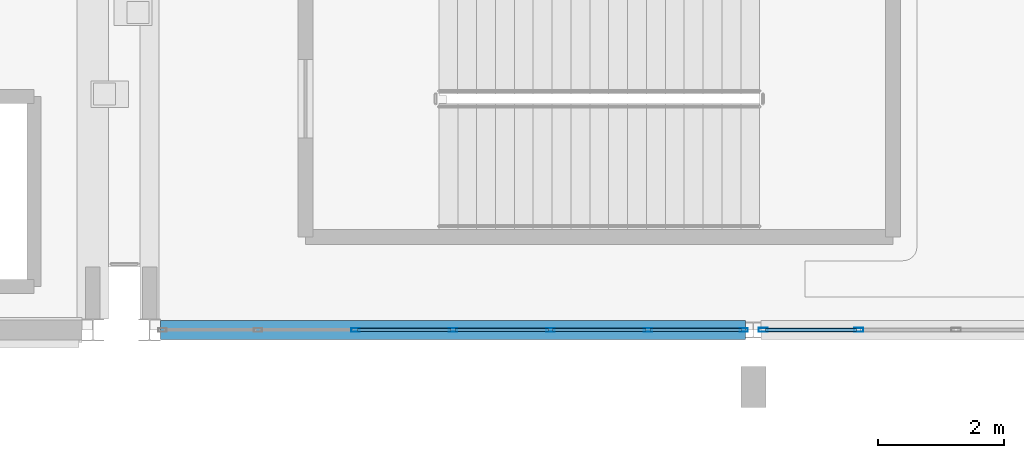
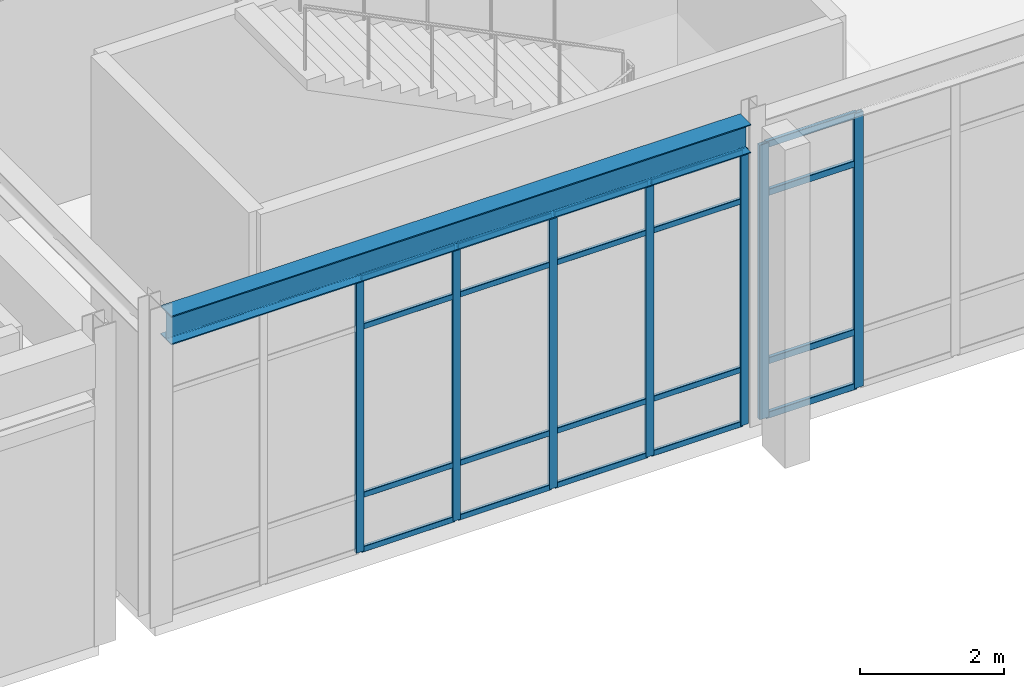
# One storey, part 17 of 80: 27 members, 1 beam, 2 elements without a shape of their own.
"""IFC4 building model written with IfcOpenShell, lengths in metres."""

from ifc_helpers import new_model, si_unit, direction, frame, origin, origin_2d, place, context, subcontext, project, spatial, hollow_rectangle, i_section, extrude, material, material_profile, profile_set, type_object, element, aggregate, save


model = new_model("IFC4")

# Units and contexts
model_context = context("Model", 3, precision=1e-05, world=origin(), true_north=direction((0.0, 1.0)))
body_context = subcontext(model_context, "Body", "Model", "MODEL_VIEW")
ifc_project = project(units=[si_unit("LENGTHUNIT", "METRE"), si_unit("AREAUNIT", "SQUARE_METRE"), si_unit("VOLUMEUNIT", "CUBIC_METRE"), si_unit("PLANEANGLEUNIT", "RADIAN"), si_unit("MASSUNIT", "GRAM", prefix="KILO")], contexts=[model_context])

# Site, building, storey
site_placement = place(None, origin())
site = spatial("IfcSite", under=ifc_project, at=site_placement, CompositionType="ELEMENT")
building_placement = place(site_placement, origin())
building = spatial("IfcBuilding", under=site, at=building_placement, Name="Canglan Escarpment Cableway Terminal", CompositionType="ELEMENT")
storey_placement = place(building_placement, frame((0.0, 0.0, 19.199951171875)))
storey = spatial("IfcBuildingStorey", under=building, at=storey_placement, Name="L04", CompositionType="ELEMENT", Elevation=19.199951171875)

# Beam
ifc_material_1 = material(Name="Steel Q355B", Category="steel")
ifc_material_profile_1 = material_profile(ifc_material_1, i_section(OverallWidth=0.300048828125, OverallDepth=0.488037109375, WebThickness=0.010986328125, FlangeThickness=0.01806640625, FilletRadius=0.02587890625, at=origin_2d()), Name="HM 488x300x11x18")
ifc_profile_set_1 = profile_set([ifc_material_profile_1], Name="Steel Q355B")
beam_type = type_object("IfcBeamType", Name="BM-HM488", PredefinedType="BEAM", material=ifc_profile_set_1)
beam_placement = place(storey_placement, frame((147.375, 8.0, 4.916015625), z_axis=(1.0, 0.0, 0.0), x_axis=(0.0, 1.0, 0.0)))
element("IfcBeam", 1, at=beam_placement, inside=storey, type_object=beam_type, Name="Primary structural girder B-09", PredefinedType="BEAM", context=body_context, shape_type="SweptSolid", body=[
    extrude(i_section(OverallWidth=0.300048828125, OverallDepth=0.488037109375, WebThickness=0.010986328125, FlangeThickness=0.01806640625, FilletRadius=0.02587890625, at=origin_2d()), origin(), (0.0, 0.0, 1.0), 9.300048828125),
])

# Curtain wall, members
ifc_material_2 = material(Name="Anodized bronze aluminium and Low-E double glazing", Category="aluminium")
curtain_wall_type = type_object("IfcCurtainWallType", Name="CW-BAY-9300x4650", PredefinedType="NOTDEFINED", material=ifc_material_2)
curtain_wall_1_placement = place(storey_placement, origin())
curtain_wall_1 = element("IfcCurtainWall", 2, at=curtain_wall_1_placement, inside=storey, type_object=curtain_wall_type, Name="Classical bay-between-piers glazed curtain wall CW-33", PredefinedType="NOTDEFINED")
ifc_material_3 = material(Name="Thermally broken anodized aluminium 6063-T6", Category="aluminium")
ifc_material_profile_2 = material_profile(ifc_material_3, hollow_rectangle(XDim=0.06005859375, YDim=0.1298828125, WallThickness=0.0029296875, InnerFilletRadius=0.0029296875, OuterFilletRadius=0.006103515625, at=origin_2d()), Name="ALU-MULL 60x130x3")
ifc_profile_set_2 = profile_set([ifc_material_profile_2], Name="Thermally broken anodized aluminium 6063-T6")
member_type_1 = type_object("IfcMemberType", Name="CWM-01", PredefinedType="MULLION", material=ifc_profile_set_2)
member_1_placement = place(storey_placement, frame((150.47509765625, 8.0, 0.0), z_axis=(0.0, 0.0, 1.0), x_axis=(0.0, 1.0, 0.0)))
member_1 = element("IfcMember", 3, at=member_1_placement, type_object=member_type_1, Name="CW-33 mullion 3", PredefinedType="MULLION", context=body_context, shape_type="SweptSolid", body=[
    extrude(hollow_rectangle(XDim=0.06005859375, YDim=0.1298828125, WallThickness=0.0029296875, InnerFilletRadius=0.0029296875, OuterFilletRadius=0.006103515625, at=origin_2d()), origin(), (0.0, 0.0, 1.0), 4.656982421875),
])
member_2_placement = place(storey_placement, frame((152.02490234375, 8.0, 0.0), z_axis=(0.0, 0.0, 1.0), x_axis=(0.0, 1.0, 0.0)))
member_2 = element("IfcMember", 4, at=member_2_placement, type_object=member_type_1, Name="CW-33 mullion 4", PredefinedType="MULLION", context=body_context, shape_type="SweptSolid", body=[
    extrude(hollow_rectangle(XDim=0.06005859375, YDim=0.1298828125, WallThickness=0.0029296875, InnerFilletRadius=0.0029296875, OuterFilletRadius=0.006103515625, at=origin_2d()), origin(), (0.0, 0.0, 1.0), 4.656982421875),
])
member_3_placement = place(storey_placement, frame((153.574951171875, 8.0, 0.0), z_axis=(0.0, 0.0, 1.0), x_axis=(0.0, 1.0, 0.0)))
member_3 = element("IfcMember", 5, at=member_3_placement, type_object=member_type_1, Name="CW-33 mullion 5", PredefinedType="MULLION", context=body_context, shape_type="SweptSolid", body=[
    extrude(hollow_rectangle(XDim=0.06005859375, YDim=0.1298828125, WallThickness=0.0029296875, InnerFilletRadius=0.0029296875, OuterFilletRadius=0.006103515625, at=origin_2d()), origin(), (0.0, 0.0, 1.0), 4.656982421875),
])
member_4_placement = place(storey_placement, frame((155.125, 8.0, 0.0), z_axis=(0.0, 0.0, 1.0), x_axis=(0.0, 1.0, 0.0)))
member_4 = element("IfcMember", 6, at=member_4_placement, type_object=member_type_1, Name="CW-33 mullion 6", PredefinedType="MULLION", context=body_context, shape_type="SweptSolid", body=[
    extrude(hollow_rectangle(XDim=0.06005859375, YDim=0.1298828125, WallThickness=0.0029296875, InnerFilletRadius=0.0029296875, OuterFilletRadius=0.006103515625, at=origin_2d()), origin(), (0.0, 0.0, 1.0), 4.656982421875),
])
member_5_placement = place(storey_placement, frame((156.64501953125, 8.0, 0.0), z_axis=(0.0, 0.0, 1.0), x_axis=(0.0, 1.0, 0.0)))
member_5 = element("IfcMember", 7, at=member_5_placement, type_object=member_type_1, Name="CW-33 mullion 7", PredefinedType="MULLION", context=body_context, shape_type="SweptSolid", body=[
    extrude(hollow_rectangle(XDim=0.06005859375, YDim=0.1298828125, WallThickness=0.0029296875, InnerFilletRadius=0.0029296875, OuterFilletRadius=0.006103515625, at=origin_2d()), origin(), (0.0, 0.0, 1.0), 4.656982421875),
])

curtain_wall_2_placement = place(storey_placement, origin())
curtain_wall_2 = element("IfcCurtainWall", 8, at=curtain_wall_2_placement, inside=storey, type_object=curtain_wall_type, Name="Classical bay-between-piers glazed curtain wall CW-33", PredefinedType="NOTDEFINED")
ifc_material_profile_3 = material_profile(ifc_material_3, hollow_rectangle(XDim=0.06494140625, YDim=0.14990234375, WallThickness=0.00341796875, InnerFilletRadius=0.00341796875, OuterFilletRadius=0.007080078125, at=origin_2d()), Name="ALU-MULL 65x150x3.5")
ifc_profile_set_3 = profile_set([ifc_material_profile_3], Name="Thermally broken anodized aluminium 6063-T6")
member_type_2 = type_object("IfcMemberType", Name="CWM-02", PredefinedType="MULLION", material=ifc_profile_set_3)
member_6_placement = place(storey_placement, frame((156.95751953125, 8.0, 0.0), z_axis=(0.0, 0.0, 1.0), x_axis=(0.0, 1.0, 0.0)))
member_6 = element("IfcMember", 9, at=member_6_placement, type_object=member_type_2, Name="CW-33 mullion 1", PredefinedType="MULLION", context=body_context, shape_type="SweptSolid", body=[
    extrude(hollow_rectangle(XDim=0.06494140625, YDim=0.14990234375, WallThickness=0.00341796875, InnerFilletRadius=0.00341796875, OuterFilletRadius=0.007080078125, at=origin_2d()), origin(), (0.0, 0.0, 1.0), 4.656982421875),
])
member_7_placement = place(storey_placement, frame((158.47509765625, 8.0, 0.0), z_axis=(0.0, 0.0, 1.0), x_axis=(0.0, 1.0, 0.0)))
member_7 = element("IfcMember", 10, at=member_7_placement, type_object=member_type_2, Name="CW-33 mullion 2", PredefinedType="MULLION", context=body_context, shape_type="SweptSolid", body=[
    extrude(hollow_rectangle(XDim=0.06494140625, YDim=0.14990234375, WallThickness=0.00341796875, InnerFilletRadius=0.00341796875, OuterFilletRadius=0.007080078125, at=origin_2d()), origin(), (0.0, 0.0, 1.0), 4.656982421875),
])

# Member
ifc_material_profile_4 = material_profile(ifc_material_3, hollow_rectangle(XDim=0.054931640625, YDim=0.094970703125, WallThickness=0.0029296875, InnerFilletRadius=0.0029296875, OuterFilletRadius=0.006103515625, at=origin_2d()), Name="ALU-TRAN 55x95x3")
ifc_profile_set_4 = profile_set([ifc_material_profile_4], Name="Thermally broken anodized aluminium 6063-T6")
member_type_3 = type_object("IfcMemberType", Name="CWT-01", PredefinedType="USERDEFINED", material=ifc_profile_set_4)
member_8_placement = place(storey_placement, frame((150.5048828125, 8.0, 0.027587890625), z_axis=(1.0, 0.0, 0.0), x_axis=(0.0, 1.0, 0.0)))
member_8 = element("IfcMember", 11, at=member_8_placement, type_object=member_type_3, Name="CW-33 transom 3.1", ObjectType="TRANSOM", PredefinedType="USERDEFINED", context=body_context, shape_type="SweptSolid", body=[
    extrude(hollow_rectangle(XDim=0.054931640625, YDim=0.094970703125, WallThickness=0.0029296875, InnerFilletRadius=0.0029296875, OuterFilletRadius=0.006103515625, at=origin_2d()), origin(), (0.0, 0.0, 1.0), 1.490234375),
])

member_9_placement = place(storey_placement, frame((150.5048828125, 8.0, 0.949951171875), z_axis=(1.0, 0.0, 0.0), x_axis=(0.0, 1.0, 0.0)))
member_9 = element("IfcMember", 12, at=member_9_placement, type_object=member_type_3, Name="CW-33 transom 3.2", ObjectType="TRANSOM", PredefinedType="USERDEFINED", context=body_context, shape_type="SweptSolid", body=[
    extrude(hollow_rectangle(XDim=0.054931640625, YDim=0.094970703125, WallThickness=0.0029296875, InnerFilletRadius=0.0029296875, OuterFilletRadius=0.006103515625, at=origin_2d()), origin(), (0.0, 0.0, 1.0), 1.490234375),
])

member_10_placement = place(storey_placement, frame((150.5048828125, 8.0, 3.80712890625), z_axis=(1.0, 0.0, 0.0), x_axis=(0.0, 1.0, 0.0)))
member_10 = element("IfcMember", 13, at=member_10_placement, type_object=member_type_3, Name="CW-33 transom 3.3", ObjectType="TRANSOM", PredefinedType="USERDEFINED", context=body_context, shape_type="SweptSolid", body=[
    extrude(hollow_rectangle(XDim=0.054931640625, YDim=0.094970703125, WallThickness=0.0029296875, InnerFilletRadius=0.0029296875, OuterFilletRadius=0.006103515625, at=origin_2d()), origin(), (0.0, 0.0, 1.0), 1.490234375),
])

member_11_placement = place(storey_placement, frame((150.5048828125, 8.0, 4.629638671875), z_axis=(1.0, 0.0, 0.0), x_axis=(0.0, 1.0, 0.0)))
member_11 = element("IfcMember", 14, at=member_11_placement, type_object=member_type_3, Name="CW-33 transom 3.4", ObjectType="TRANSOM", PredefinedType="USERDEFINED", context=body_context, shape_type="SweptSolid", body=[
    extrude(hollow_rectangle(XDim=0.054931640625, YDim=0.094970703125, WallThickness=0.0029296875, InnerFilletRadius=0.0029296875, OuterFilletRadius=0.006103515625, at=origin_2d()), origin(), (0.0, 0.0, 1.0), 1.490234375),
])

member_12_placement = place(storey_placement, frame((152.054931640625, 8.0, 0.027587890625), z_axis=(1.0, 0.0, 0.0), x_axis=(0.0, 1.0, 0.0)))
member_12 = element("IfcMember", 15, at=member_12_placement, type_object=member_type_3, Name="CW-33 transom 4.1", ObjectType="TRANSOM", PredefinedType="USERDEFINED", context=body_context, shape_type="SweptSolid", body=[
    extrude(hollow_rectangle(XDim=0.054931640625, YDim=0.094970703125, WallThickness=0.0029296875, InnerFilletRadius=0.0029296875, OuterFilletRadius=0.006103515625, at=origin_2d()), origin(), (0.0, 0.0, 1.0), 1.489990234375),
])

member_13_placement = place(storey_placement, frame((152.054931640625, 8.0, 0.949951171875), z_axis=(1.0, 0.0, 0.0), x_axis=(0.0, 1.0, 0.0)))
member_13 = element("IfcMember", 16, at=member_13_placement, type_object=member_type_3, Name="CW-33 transom 4.2", ObjectType="TRANSOM", PredefinedType="USERDEFINED", context=body_context, shape_type="SweptSolid", body=[
    extrude(hollow_rectangle(XDim=0.054931640625, YDim=0.094970703125, WallThickness=0.0029296875, InnerFilletRadius=0.0029296875, OuterFilletRadius=0.006103515625, at=origin_2d()), origin(), (0.0, 0.0, 1.0), 1.489990234375),
])

member_14_placement = place(storey_placement, frame((152.054931640625, 8.0, 3.80712890625), z_axis=(1.0, 0.0, 0.0), x_axis=(0.0, 1.0, 0.0)))
member_14 = element("IfcMember", 17, at=member_14_placement, type_object=member_type_3, Name="CW-33 transom 4.3", ObjectType="TRANSOM", PredefinedType="USERDEFINED", context=body_context, shape_type="SweptSolid", body=[
    extrude(hollow_rectangle(XDim=0.054931640625, YDim=0.094970703125, WallThickness=0.0029296875, InnerFilletRadius=0.0029296875, OuterFilletRadius=0.006103515625, at=origin_2d()), origin(), (0.0, 0.0, 1.0), 1.489990234375),
])

member_15_placement = place(storey_placement, frame((152.054931640625, 8.0, 4.629638671875), z_axis=(1.0, 0.0, 0.0), x_axis=(0.0, 1.0, 0.0)))
member_15 = element("IfcMember", 18, at=member_15_placement, type_object=member_type_3, Name="CW-33 transom 4.4", ObjectType="TRANSOM", PredefinedType="USERDEFINED", context=body_context, shape_type="SweptSolid", body=[
    extrude(hollow_rectangle(XDim=0.054931640625, YDim=0.094970703125, WallThickness=0.0029296875, InnerFilletRadius=0.0029296875, OuterFilletRadius=0.006103515625, at=origin_2d()), origin(), (0.0, 0.0, 1.0), 1.489990234375),
])

member_16_placement = place(storey_placement, frame((153.60498046875, 8.0, 0.027587890625), z_axis=(1.0, 0.0, 0.0), x_axis=(0.0, 1.0, 0.0)))
member_16 = element("IfcMember", 19, at=member_16_placement, type_object=member_type_3, Name="CW-33 transom 5.1", ObjectType="TRANSOM", PredefinedType="USERDEFINED", context=body_context, shape_type="SweptSolid", body=[
    extrude(hollow_rectangle(XDim=0.054931640625, YDim=0.094970703125, WallThickness=0.0029296875, InnerFilletRadius=0.0029296875, OuterFilletRadius=0.006103515625, at=origin_2d()), origin(), (0.0, 0.0, 1.0), 1.489990234375),
])

member_17_placement = place(storey_placement, frame((153.60498046875, 8.0, 0.949951171875), z_axis=(1.0, 0.0, 0.0), x_axis=(0.0, 1.0, 0.0)))
member_17 = element("IfcMember", 20, at=member_17_placement, type_object=member_type_3, Name="CW-33 transom 5.2", ObjectType="TRANSOM", PredefinedType="USERDEFINED", context=body_context, shape_type="SweptSolid", body=[
    extrude(hollow_rectangle(XDim=0.054931640625, YDim=0.094970703125, WallThickness=0.0029296875, InnerFilletRadius=0.0029296875, OuterFilletRadius=0.006103515625, at=origin_2d()), origin(), (0.0, 0.0, 1.0), 1.489990234375),
])

member_18_placement = place(storey_placement, frame((153.60498046875, 8.0, 3.80712890625), z_axis=(1.0, 0.0, 0.0), x_axis=(0.0, 1.0, 0.0)))
member_18 = element("IfcMember", 21, at=member_18_placement, type_object=member_type_3, Name="CW-33 transom 5.3", ObjectType="TRANSOM", PredefinedType="USERDEFINED", context=body_context, shape_type="SweptSolid", body=[
    extrude(hollow_rectangle(XDim=0.054931640625, YDim=0.094970703125, WallThickness=0.0029296875, InnerFilletRadius=0.0029296875, OuterFilletRadius=0.006103515625, at=origin_2d()), origin(), (0.0, 0.0, 1.0), 1.489990234375),
])

member_19_placement = place(storey_placement, frame((153.60498046875, 8.0, 4.629638671875), z_axis=(1.0, 0.0, 0.0), x_axis=(0.0, 1.0, 0.0)))
member_19 = element("IfcMember", 22, at=member_19_placement, type_object=member_type_3, Name="CW-33 transom 5.4", ObjectType="TRANSOM", PredefinedType="USERDEFINED", context=body_context, shape_type="SweptSolid", body=[
    extrude(hollow_rectangle(XDim=0.054931640625, YDim=0.094970703125, WallThickness=0.0029296875, InnerFilletRadius=0.0029296875, OuterFilletRadius=0.006103515625, at=origin_2d()), origin(), (0.0, 0.0, 1.0), 1.489990234375),
])

member_20_placement = place(storey_placement, frame((155.155029296875, 8.0, 0.027587890625), z_axis=(1.0, 0.0, 0.0), x_axis=(0.0, 1.0, 0.0)))
member_20 = element("IfcMember", 23, at=member_20_placement, type_object=member_type_3, Name="CW-33 transom 6.1", ObjectType="TRANSOM", PredefinedType="USERDEFINED", context=body_context, shape_type="SweptSolid", body=[
    extrude(hollow_rectangle(XDim=0.054931640625, YDim=0.094970703125, WallThickness=0.0029296875, InnerFilletRadius=0.0029296875, OuterFilletRadius=0.006103515625, at=origin_2d()), origin(), (0.0, 0.0, 1.0), 1.4599609375),
])

member_21_placement = place(storey_placement, frame((155.155029296875, 8.0, 0.949951171875), z_axis=(1.0, 0.0, 0.0), x_axis=(0.0, 1.0, 0.0)))
member_21 = element("IfcMember", 24, at=member_21_placement, type_object=member_type_3, Name="CW-33 transom 6.2", ObjectType="TRANSOM", PredefinedType="USERDEFINED", context=body_context, shape_type="SweptSolid", body=[
    extrude(hollow_rectangle(XDim=0.054931640625, YDim=0.094970703125, WallThickness=0.0029296875, InnerFilletRadius=0.0029296875, OuterFilletRadius=0.006103515625, at=origin_2d()), origin(), (0.0, 0.0, 1.0), 1.4599609375),
])

member_22_placement = place(storey_placement, frame((155.155029296875, 8.0, 3.80712890625), z_axis=(1.0, 0.0, 0.0), x_axis=(0.0, 1.0, 0.0)))
member_22 = element("IfcMember", 25, at=member_22_placement, type_object=member_type_3, Name="CW-33 transom 6.3", ObjectType="TRANSOM", PredefinedType="USERDEFINED", context=body_context, shape_type="SweptSolid", body=[
    extrude(hollow_rectangle(XDim=0.054931640625, YDim=0.094970703125, WallThickness=0.0029296875, InnerFilletRadius=0.0029296875, OuterFilletRadius=0.006103515625, at=origin_2d()), origin(), (0.0, 0.0, 1.0), 1.4599609375),
])

member_23_placement = place(storey_placement, frame((155.155029296875, 8.0, 4.629638671875), z_axis=(1.0, 0.0, 0.0), x_axis=(0.0, 1.0, 0.0)))
member_23 = element("IfcMember", 26, at=member_23_placement, type_object=member_type_3, Name="CW-33 transom 6.4", ObjectType="TRANSOM", PredefinedType="USERDEFINED", context=body_context, shape_type="SweptSolid", body=[
    extrude(hollow_rectangle(XDim=0.054931640625, YDim=0.094970703125, WallThickness=0.0029296875, InnerFilletRadius=0.0029296875, OuterFilletRadius=0.006103515625, at=origin_2d()), origin(), (0.0, 0.0, 1.0), 1.4599609375),
])

aggregate(curtain_wall_1, [member_1, member_2, member_3, member_4, member_5, member_8, member_9, member_10, member_11, member_12, member_13, member_14, member_15, member_16, member_17, member_18, member_19, member_20, member_21, member_22, member_23])

ifc_material_profile_5 = material_profile(ifc_material_3, hollow_rectangle(XDim=0.06005859375, YDim=0.110107421875, WallThickness=0.0029296875, InnerFilletRadius=0.0029296875, OuterFilletRadius=0.006103515625, at=origin_2d()), Name="ALU-TRAN 60x110x3")
ifc_profile_set_5 = profile_set([ifc_material_profile_5], Name="Thermally broken anodized aluminium 6063-T6")
member_type_4 = type_object("IfcMemberType", Name="CWT-02", PredefinedType="USERDEFINED", material=ifc_profile_set_5)
member_24_placement = place(storey_placement, frame((156.989990234375, 8.0, 0.030029296875), z_axis=(1.0, 0.0, 0.0), x_axis=(0.0, 1.0, 0.0)))
member_24 = element("IfcMember", 27, at=member_24_placement, type_object=member_type_4, Name="CW-33 transom 1.1", ObjectType="TRANSOM", PredefinedType="USERDEFINED", context=body_context, shape_type="SweptSolid", body=[
    extrude(hollow_rectangle(XDim=0.06005859375, YDim=0.110107421875, WallThickness=0.0029296875, InnerFilletRadius=0.0029296875, OuterFilletRadius=0.006103515625, at=origin_2d()), origin(), (0.0, 0.0, 1.0), 1.452392578125),
])

member_25_placement = place(storey_placement, frame((156.989990234375, 8.0, 0.949951171875), z_axis=(1.0, 0.0, 0.0), x_axis=(0.0, 1.0, 0.0)))
member_25 = element("IfcMember", 28, at=member_25_placement, type_object=member_type_4, Name="CW-33 transom 1.2", ObjectType="TRANSOM", PredefinedType="USERDEFINED", context=body_context, shape_type="SweptSolid", body=[
    extrude(hollow_rectangle(XDim=0.06005859375, YDim=0.110107421875, WallThickness=0.0029296875, InnerFilletRadius=0.0029296875, OuterFilletRadius=0.006103515625, at=origin_2d()), origin(), (0.0, 0.0, 1.0), 1.452392578125),
])

member_26_placement = place(storey_placement, frame((156.989990234375, 8.0, 3.80712890625), z_axis=(1.0, 0.0, 0.0), x_axis=(0.0, 1.0, 0.0)))
member_26 = element("IfcMember", 29, at=member_26_placement, type_object=member_type_4, Name="CW-33 transom 1.3", ObjectType="TRANSOM", PredefinedType="USERDEFINED", context=body_context, shape_type="SweptSolid", body=[
    extrude(hollow_rectangle(XDim=0.06005859375, YDim=0.110107421875, WallThickness=0.0029296875, InnerFilletRadius=0.0029296875, OuterFilletRadius=0.006103515625, at=origin_2d()), origin(), (0.0, 0.0, 1.0), 1.452392578125),
])

member_27_placement = place(storey_placement, frame((156.989990234375, 8.0, 4.626953125), z_axis=(1.0, 0.0, 0.0), x_axis=(0.0, 1.0, 0.0)))
member_27 = element("IfcMember", 30, at=member_27_placement, type_object=member_type_4, Name="CW-33 transom 1.4", ObjectType="TRANSOM", PredefinedType="USERDEFINED", context=body_context, shape_type="SweptSolid", body=[
    extrude(hollow_rectangle(XDim=0.06005859375, YDim=0.110107421875, WallThickness=0.0029296875, InnerFilletRadius=0.0029296875, OuterFilletRadius=0.006103515625, at=origin_2d()), origin(), (0.0, 0.0, 1.0), 1.452392578125),
])

aggregate(curtain_wall_2, [member_6, member_7, member_24, member_25, member_26, member_27])

save(model, "model.ifc")
